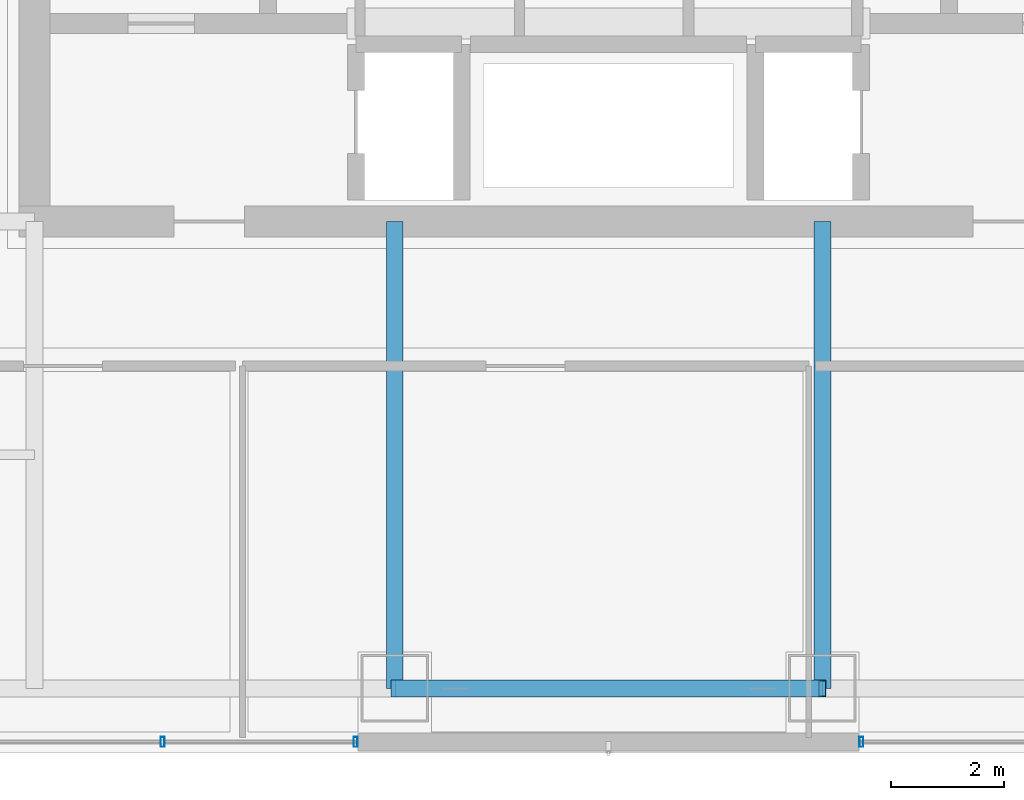
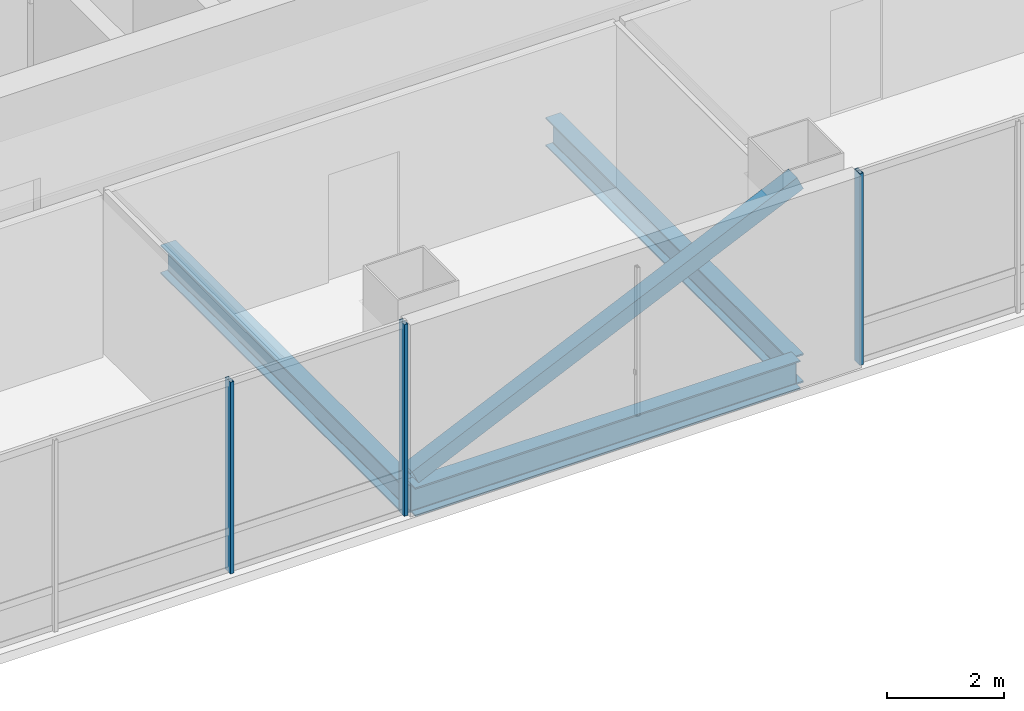
# One storey, part 8 of 43: 4 members, 3 beams, 2 elements without a shape of their own.
"""IFC4 building model written with IfcOpenShell, lengths in metres."""

from ifc_helpers import new_model, si_unit, direction, frame, origin, origin_2d, place, context, subcontext, project, spatial, hollow_rectangle, i_section, extrude, material, material_profile, profile_set, type_object, element, aggregate, save


model = new_model("IFC4")

# Units and contexts
model_context = context("Model", 3, precision=1e-05, world=origin(), true_north=direction((0.0, 1.0)))
body_context = subcontext(model_context, "Body", "Model", "MODEL_VIEW")
ifc_project = project(units=[si_unit("LENGTHUNIT", "METRE"), si_unit("AREAUNIT", "SQUARE_METRE"), si_unit("VOLUMEUNIT", "CUBIC_METRE"), si_unit("PLANEANGLEUNIT", "RADIAN"), si_unit("MASSUNIT", "GRAM", prefix="KILO")], contexts=[model_context])

# Site, building, storey
site_placement = place(None, origin())
site = spatial("IfcSite", under=ifc_project, at=site_placement, CompositionType="ELEMENT")
building_placement = place(site_placement, origin())
building = spatial("IfcBuilding", under=site, at=building_placement, Name="Punatoya Terracotta Tower", CompositionType="ELEMENT")
storey_placement = place(building_placement, frame((0.0, 0.0, 300.60009765625)))
storey = spatial("IfcBuildingStorey", under=building, at=storey_placement, Name="L71", CompositionType="ELEMENT", Elevation=300.60009765625)

# Beams
ifc_material_1 = material(Name="Steel S355", Category="steel")
ifc_material_profile_1 = material_profile(ifc_material_1, i_section(OverallWidth=0.300048828125, OverallDepth=0.60009765625, WebThickness=0.015380859375, FlangeThickness=0.030029296875, FilletRadius=0.01806640625, at=origin_2d()))
ifc_profile_set_1 = profile_set([ifc_material_profile_1], Name="Steel S355")
beam_type = type_object("IfcBeamType", Name="BM-PRI-600", PredefinedType="BEAM", material=ifc_profile_set_1)
beam_placement = place(storey_placement, frame((-3.800048828125, -17.5, -0.5), z_axis=(1.0, 0.0, 0.0), x_axis=(0.0, 1.0, 0.0)))
element("IfcBeam", 1, at=beam_placement, inside=storey, type_object=beam_type, Name="BM-L71-RG-S2", PredefinedType="BEAM", context=body_context, shape_type="SweptSolid", body=[
    extrude(i_section(OverallWidth=0.300048828125, OverallDepth=0.60009765625, WebThickness=0.015380859375, FlangeThickness=0.030029296875, FilletRadius=0.01806640625, at=origin_2d()), origin(), (0.0, 0.0, 1.0), 7.60009765625),
])
for number, where, z_axis, x_axis, name in (
    (2, (-3.800048828125, -17.5, -0.5), (0.0, 1.0, 0.0), (-1.0, 0.0, 0.0), "BM-L71-PR-S2"),
    (3, (3.800048828125, -17.5, -0.5), (0.0, 1.0, 0.0), (-1.0, 0.0, 0.0), "BM-L71-PR-S3"),
):
    element("IfcBeam", number, at=place(storey_placement, frame(where, z_axis=z_axis, x_axis=x_axis)), inside=storey, type_object=beam_type, Name=name, PredefinedType="BEAM", context=body_context, shape_type="SweptSolid", body=[
        extrude(i_section(OverallWidth=0.300048828125, OverallDepth=0.60009765625, WebThickness=0.015380859375, FlangeThickness=0.030029296875, FilletRadius=0.01806640625, at=origin_2d()), origin(), (0.0, 0.0, 1.0), 8.300048828125),
    ])

# Curtain wall, members
ifc_material_2 = material(Name="Aluminium 6063-T6 + Double Low-E Glass", Category="aluminium")
curtain_wall_type = type_object("IfcCurtainWallType", Name="CW-M3", PredefinedType="NOTDEFINED", material=ifc_material_2)
curtain_wall_1_placement = place(storey_placement, origin())
curtain_wall_1 = element("IfcCurtainWall", 4, at=curtain_wall_1_placement, inside=storey, type_object=curtain_wall_type, Name="L71 Curtain Wall CW-L71-S01-1", PredefinedType="NOTDEFINED")
ifc_material_3 = material(Name="Aluminium 6063-T6", Category="aluminium")
ifc_material_profile_2 = material_profile(ifc_material_3, hollow_rectangle(XDim=0.070068359375, YDim=0.179931640625, WallThickness=0.00390625, at=origin_2d()))
ifc_profile_set_2 = profile_set([ifc_material_profile_2], Name="Aluminium 6063-T6")
member_type_1 = type_object("IfcMemberType", Name="CW-MUL-M3", PredefinedType="MULLION", material=ifc_profile_set_2)
member_1_placement = place(storey_placement, frame((-7.927490234375, -18.449951171875, 0.0), z_axis=(0.0, 0.0, 1.0), x_axis=(1.0, 0.0, 0.0)))
member_1 = element("IfcMember", 5, at=member_1_placement, type_object=member_type_1, Name="CW-L71-S01-1 Mullion 04", PredefinedType="MULLION", context=body_context, shape_type="SweptSolid", body=[
    extrude(hollow_rectangle(XDim=0.070068359375, YDim=0.179931640625, WallThickness=0.00390625, at=origin_2d()), origin(), (0.0, 0.0, 1.0), 4.0),
])
member_2_placement = place(storey_placement, frame((-4.4951171875, -18.449951171875, 0.0), z_axis=(0.0, 0.0, 1.0), x_axis=(1.0, 0.0, 0.0)))
member_2 = element("IfcMember", 6, at=member_2_placement, type_object=member_type_1, Name="CW-L71-S01-1 Mullion 05", PredefinedType="MULLION", context=body_context, shape_type="SweptSolid", body=[
    extrude(hollow_rectangle(XDim=0.070068359375, YDim=0.179931640625, WallThickness=0.00390625, at=origin_2d()), origin(), (0.0, 0.0, 1.0), 4.0),
])
aggregate(curtain_wall_1, [member_1, member_2])

# Curtain wall, member
curtain_wall_2_placement = place(storey_placement, origin())
curtain_wall_2 = element("IfcCurtainWall", 7, at=curtain_wall_2_placement, inside=storey, type_object=curtain_wall_type, Name="L71 Curtain Wall CW-L71-S01-2", PredefinedType="NOTDEFINED")
member_3_placement = place(storey_placement, frame((4.4951171875, -18.449951171875, 0.0), z_axis=(0.0, 0.0, 1.0), x_axis=(1.0, 0.0, 0.0)))
member_3 = element("IfcMember", 8, at=member_3_placement, type_object=member_type_1, Name="CW-L71-S01-2 Mullion 00", PredefinedType="MULLION", context=body_context, shape_type="SweptSolid", body=[
    extrude(hollow_rectangle(XDim=0.070068359375, YDim=0.179931640625, WallThickness=0.00390625, at=origin_2d()), origin(), (0.0, 0.0, 1.0), 4.0),
])
aggregate(curtain_wall_2, [member_3])

# Member
ifc_material_profile_3 = material_profile(ifc_material_1, hollow_rectangle(XDim=0.300048828125, YDim=0.300048828125, WallThickness=0.01611328125, at=origin_2d()))
ifc_profile_set_3 = profile_set([ifc_material_profile_3], Name="Steel S355")
member_type_2 = type_object("IfcMemberType", Name="MEM-WND-300", PredefinedType="BRACE", material=ifc_profile_set_3)
member_4_placement = place(storey_placement, frame((-3.800048828125, -17.5, 0.02001953125), z_axis=(0.909218716481, 0.0, 0.416318778822), x_axis=(0.0, 1.0, 0.0)))
element("IfcMember", 9, at=member_4_placement, inside=storey, type_object=member_type_2, Name="L71 Perimeter Wind Brace S2", PredefinedType="BRACE", context=body_context, shape_type="SweptSolid", body=[
    extrude(hollow_rectangle(XDim=0.300048828125, YDim=0.300048828125, WallThickness=0.01611328125, at=origin_2d()), origin(), (0.0, 0.0, 1.0), 8.35888671875),
])

save(model, "model.ifc")
